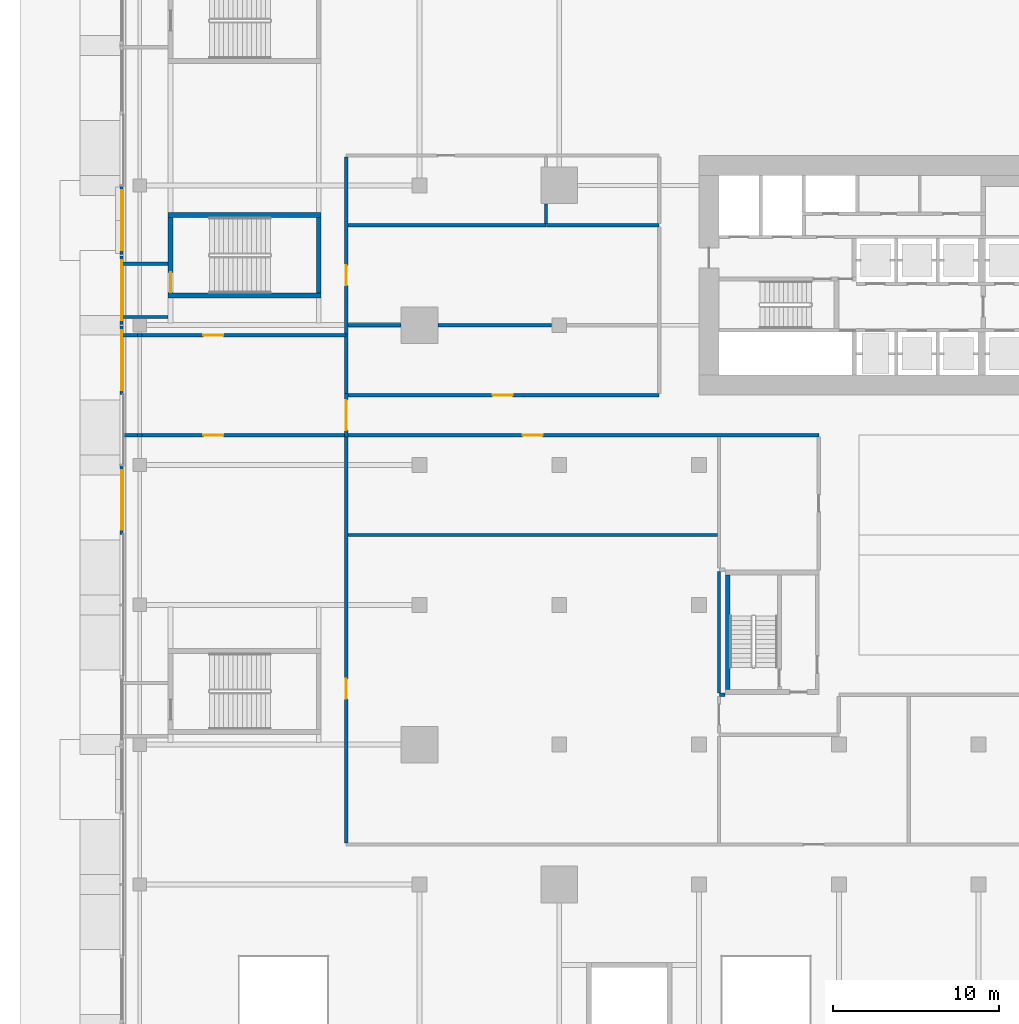
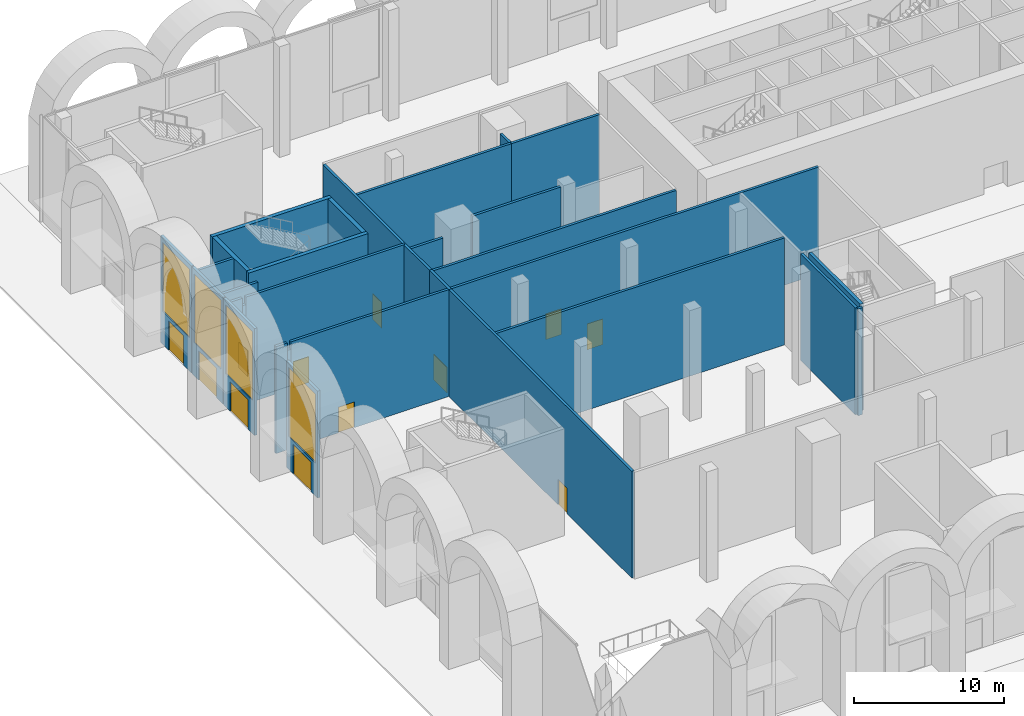
# One storey, part 21 of 43: 30 walls, 12 doors, 4 windows, 16 openings.
"""IFC4 building model written with IfcOpenShell, lengths in metres."""

from ifc_helpers import new_model, si_unit, direction, frame, frame_2d, origin, place, context, subcontext, project, spatial, rectangle, extrude, material, layer, layer_set, type_object, element, fill, save


model = new_model("IFC4")

# Units and contexts
model_context = context("Model", 3, precision=1e-05, world=origin(), true_north=direction((0.0, 1.0)))
body_context = subcontext(model_context, "Body", "Model", "MODEL_VIEW")
ifc_project = project(units=[si_unit("LENGTHUNIT", "METRE"), si_unit("AREAUNIT", "SQUARE_METRE"), si_unit("VOLUMEUNIT", "CUBIC_METRE"), si_unit("PLANEANGLEUNIT", "RADIAN"), si_unit("MASSUNIT", "GRAM", prefix="KILO")], contexts=[model_context])

# Site, building, storey
site_placement = place(None, origin())
site = spatial("IfcSite", under=ifc_project, at=site_placement, CompositionType="ELEMENT")
building_placement = place(site_placement, origin())
building = spatial("IfcBuilding", under=site, at=building_placement, Name="Saffron Gate Tower", CompositionType="ELEMENT")
storey_placement = place(building_placement, origin())
storey = spatial("IfcBuildingStorey", under=building, at=storey_placement, Name="L00", CompositionType="ELEMENT", Elevation=0.0)

# Walls
ifc_material_1 = material(Name="Gypsum board partition on steel studs", Category="steel")
ifc_layer_1 = layer(ifc_material_1, 0.199951171875)
ifc_layer_set_1 = layer_set([ifc_layer_1], Name="CW10 Core partition 200")
wall_type_1 = type_object("IfcWallType", Name="CW10 Core partition 200", PredefinedType="PARTITIONING", material=ifc_layer_set_1)
for number, where, z_axis, x_axis, name in (
    (1, (32.0, 65.89990234375, 0.0), (0.0, 0.0, 1.0), (1.0, 0.0, 0.0), "Wall CW10-L00-XS-GA"),
    (2, (32.0, 69.10009765625, 0.0), (0.0, 0.0, 1.0), (1.0, 0.0, 0.0), "Wall CW10-L00-XS-GB"),
):
    element("IfcWall", number, at=place(storey_placement, frame(where, z_axis=z_axis, x_axis=x_axis)), inside=storey, type_object=wall_type_1, Name=name, PredefinedType="PARTITIONING", context=body_context, shape_type="SweptSolid", body=[
        extrude(rectangle(XDim=2.699951171875, YDim=0.199951171875, at=frame_2d((1.35009765625, 0.0))), origin(), (0.0, 0.0, 1.0), 8.699951171875),
    ])
ifc_material_2 = material(Name="Concrete C70", Category="concrete")
ifc_layer_2 = layer(ifc_material_2, 0.25)
ifc_layer_set_2 = layer_set([ifc_layer_2], Name="CW2 RC core wall 250 C70")
wall_type_2 = type_object("IfcWallType", Name="CW2 RC core wall 250 C70", PredefinedType="SOLIDWALL", material=ifc_layer_set_2)
wall_1_placement = place(storey_placement, frame((68.324951171875, 43.5, 0.0), z_axis=(0.0, 0.0, 1.0), x_axis=(0.0, 1.0, 0.0)))
element("IfcWall", 3, at=wall_1_placement, inside=storey, type_object=wall_type_2, Name="Wall CW2-L00-D-2", PredefinedType="SOLIDWALL", context=body_context, shape_type="SweptSolid", body=[
    extrude(rectangle(XDim=6.89990234375, YDim=0.25, at=frame_2d((3.449951171875, 0.0))), origin(), (0.0, 0.0, 1.0), 8.699951171875),
])
ifc_layer_3 = layer(ifc_material_2, 0.300048828125)
ifc_layer_set_3 = layer_set([ifc_layer_3], Name="CW5 RC core wall 300 C70")
wall_type_3 = type_object("IfcWallType", Name="CW5 RC core wall 300 C70", PredefinedType="SOLIDWALL", material=ifc_layer_set_3)
wall_2_placement = place(storey_placement, frame((34.699951171875, 67.175048828125, 0.0), z_axis=(0.0, 0.0, 1.0), x_axis=(1.0, 0.0, 0.0)))
element("IfcWall", 4, at=wall_2_placement, inside=storey, type_object=wall_type_3, Name="Wall CW5-L00-G-1", PredefinedType="SOLIDWALL", context=body_context, shape_type="SweptSolid", body=[
    extrude(rectangle(XDim=9.199951171875, YDim=0.300048828125, at=frame_2d((4.60009765625, 0.0))), origin(), (0.0, 0.0, 1.0), 8.699951171875),
])

# Wall, opening, door
wall_3_placement = place(storey_placement, frame((34.85009765625, 67.324951171875, 0.0), z_axis=(0.0, 0.0, 1.0), x_axis=(0.0, 1.0, 0.0)))
wall_3 = element("IfcWall", 5, at=wall_3_placement, inside=storey, type_object=wall_type_3, Name="Wall CW5-L00-G-2", PredefinedType="SOLIDWALL", context=body_context, shape_type="SweptSolid", body=[
    extrude(rectangle(XDim=4.550048828125, YDim=0.300048828125, at=frame_2d((2.27490234375, 0.0))), origin(), (0.0, 0.0, 1.0), 8.699951171875),
])
opening_1_placement = place(wall_3_placement, frame((0.050048828125, 0.0, 0.0)))
opening_1 = element("IfcOpeningElement", 6, at=opening_1_placement, cuts=wall_3, Name="Opening CR-27", PredefinedType="OPENING", context=body_context, shape_type="SweptSolid", body=[
    extrude(rectangle(XDim=1.199951171875, YDim=2.10009765625, at=frame_2d((0.60009765625, 1.050048828125))), frame((0.0, 0.16015625, 0.0), z_axis=(0.0, -1.0, 0.0), x_axis=(1.0, 0.0, 0.0)), (0.0, 0.0, 1.0), 0.320068359375),
])
ifc_material_3 = material(Name="Steel fire door set", Category="steel")
door_type_1 = type_object("IfcDoorType", Name="CD12 Stair door 1200x2100 EI 120", OperationType="NOTDEFINED", PredefinedType="DOOR", material=ifc_material_3)
door_1_placement = place(opening_1_placement, origin())
door_1 = element("IfcDoor", 7, at=door_1_placement, inside=storey, type_object=door_type_1, Name="DOOR CR-27", OperationType="SINGLE_SWING_LEFT", OverallHeight=2.10009765625, OverallWidth=1.199951171875, PredefinedType="DOOR", context=body_context, shape_type="SweptSolid", body=[
    extrude(rectangle(XDim=1.199951171875, YDim=2.10009765625, at=frame_2d((0.60009765625, 1.050048828125))), frame((0.0, 0.02490234375, 0.0), z_axis=(0.0, -1.0, 0.0), x_axis=(1.0, 0.0, 0.0)), (0.0, 0.0, 1.0), 0.050048828125),
])
fill(opening_1, door_1)

# Walls
wall_4_placement = place(storey_placement, frame((43.75, 67.324951171875, 0.0), z_axis=(0.0, 0.0, 1.0), x_axis=(0.0, 1.0, 0.0)))
element("IfcWall", 8, at=wall_4_placement, inside=storey, type_object=wall_type_3, Name="Wall CW5-L00-G-3", PredefinedType="SOLIDWALL", context=body_context, shape_type="SweptSolid", body=[
    extrude(rectangle(XDim=4.550048828125, YDim=0.300048828125, at=frame_2d((2.27490234375, 0.0))), origin(), (0.0, 0.0, 1.0), 8.699951171875),
])
wall_5_placement = place(storey_placement, frame((34.699951171875, 72.02490234375, 0.0), z_axis=(0.0, 0.0, 1.0), x_axis=(1.0, 0.0, 0.0)))
element("IfcWall", 9, at=wall_5_placement, inside=storey, type_object=wall_type_3, Name="Wall CW5-L00-G-4", PredefinedType="SOLIDWALL", context=body_context, shape_type="SweptSolid", body=[
    extrude(rectangle(XDim=9.199951171875, YDim=0.300048828125, at=frame_2d((4.60009765625, 0.0))), origin(), (0.0, 0.0, 1.0), 8.699951171875),
])
ifc_material_4 = material(Name="Clay brick masonry, rendered", Category="masonry")
ifc_layer_4 = layer(ifc_material_4, 0.199951171875)
ifc_layer_set_4 = layer_set([ifc_layer_4], Name="PW3 Corridor wall 200")
wall_type_4 = type_object("IfcWallType", Name="PW3 Corridor wall 200", PredefinedType="PARTITIONING", material=ifc_layer_set_4)
wall_6_placement = place(storey_placement, frame((32.0, 58.800048828125, 0.0), z_axis=(0.0, 0.0, 1.0), x_axis=(1.0, 0.0, 0.0)))
element("IfcWall", 10, at=wall_6_placement, inside=storey, type_object=wall_type_4, Name="Wall PW3-L00-XPWS1", PredefinedType="PARTITIONING", context=body_context, shape_type="SweptSolid", body=[
    extrude(rectangle(XDim=0.8701171875, YDim=0.199951171875, at=frame_2d((0.43505859375, 0.0))), origin(), (0.0, 0.0, 1.0), 8.699951171875),
])
wall_7_placement = place(storey_placement, frame((32.8701171875, 58.800048828125, 0.0), z_axis=(0.0, 0.0, 1.0), x_axis=(1.0, 0.0, 0.0)))
element("IfcWall", 11, at=wall_7_placement, inside=storey, type_object=wall_type_4, Name="Wall PW3-L00-XPWS2", PredefinedType="PARTITIONING", context=body_context, shape_type="SweptSolid", body=[
    extrude(rectangle(XDim=0.259765625, YDim=0.199951171875, at=frame_2d((0.1298828125, 0.0))), origin(), (0.0, 0.0, 1.0), 8.10009765625),
])

# Wall, opening, door
wall_8_placement = place(storey_placement, frame((33.1298828125, 58.800048828125, 0.0), z_axis=(0.0, 0.0, 1.0), x_axis=(1.0, 0.0, 0.0)))
wall_8 = element("IfcWall", 12, at=wall_8_placement, inside=storey, type_object=wall_type_4, Name="Wall PW3-L00-XPWS3", PredefinedType="PARTITIONING", context=body_context, shape_type="SweptSolid", body=[
    extrude(rectangle(XDim=12.27001953125, YDim=0.199951171875, at=frame_2d((6.135009765625, 0.0))), origin(), (0.0, 0.0, 1.0), 8.699951171875),
])
opening_2_placement = place(wall_8_placement, frame((3.694580078125, 0.0, 0.0)))
opening_2 = element("IfcOpeningElement", 13, at=opening_2_placement, cuts=wall_8, Name="Opening XP-WS", PredefinedType="OPENING", context=body_context, shape_type="SweptSolid", body=[
    extrude(rectangle(XDim=1.199951171875, YDim=2.10009765625, at=frame_2d((0.60009765625, 1.050048828125))), frame((0.0, 0.10986328125, 0.0), z_axis=(0.0, -1.0, 0.0), x_axis=(1.0, 0.0, 0.0)), (0.0, 0.0, 1.0), 0.219970703125),
])
door_type_2 = type_object("IfcDoorType", Name="CD3 Lobby door 1200x2100 EI 120", OperationType="NOTDEFINED", PredefinedType="DOOR", material=ifc_material_3)
door_2_placement = place(opening_2_placement, origin())
door_2 = element("IfcDoor", 14, at=door_2_placement, inside=storey, type_object=door_type_2, Name="DOOR XP-WS", OperationType="SINGLE_SWING_LEFT", OverallHeight=2.10009765625, OverallWidth=1.199951171875, PredefinedType="DOOR", context=body_context, shape_type="SweptSolid", body=[
    extrude(rectangle(XDim=1.199951171875, YDim=2.10009765625, at=frame_2d((0.60009765625, 1.050048828125))), frame((0.0, 0.02490234375, 0.0), z_axis=(0.0, -1.0, 0.0), x_axis=(1.0, 0.0, 0.0)), (0.0, 0.0, 1.0), 0.050048828125),
])
fill(opening_2, door_2)

# Walls
wall_9_placement = place(storey_placement, frame((32.0, 64.800048828125, 0.0), z_axis=(0.0, 0.0, 1.0), x_axis=(1.0, 0.0, 0.0)))
element("IfcWall", 15, at=wall_9_placement, inside=storey, type_object=wall_type_4, Name="Wall PW3-L00-XPWN1", PredefinedType="PARTITIONING", context=body_context, shape_type="SweptSolid", body=[
    extrude(rectangle(XDim=0.8701171875, YDim=0.199951171875, at=frame_2d((0.43505859375, 0.0))), origin(), (0.0, 0.0, 1.0), 8.699951171875),
])
wall_10_placement = place(storey_placement, frame((32.8701171875, 64.800048828125, 0.0), z_axis=(0.0, 0.0, 1.0), x_axis=(1.0, 0.0, 0.0)))
element("IfcWall", 16, at=wall_10_placement, inside=storey, type_object=wall_type_4, Name="Wall PW3-L00-XPWN2", PredefinedType="PARTITIONING", context=body_context, shape_type="SweptSolid", body=[
    extrude(rectangle(XDim=0.259765625, YDim=0.199951171875, at=frame_2d((0.1298828125, 0.0))), origin(), (0.0, 0.0, 1.0), 8.10009765625),
])

# Wall, opening, door
wall_11_placement = place(storey_placement, frame((33.1298828125, 64.800048828125, 0.0), z_axis=(0.0, 0.0, 1.0), x_axis=(1.0, 0.0, 0.0)))
wall_11 = element("IfcWall", 17, at=wall_11_placement, inside=storey, type_object=wall_type_4, Name="Wall PW3-L00-XPWN3", PredefinedType="PARTITIONING", context=body_context, shape_type="SweptSolid", body=[
    extrude(rectangle(XDim=12.27001953125, YDim=0.199951171875, at=frame_2d((6.135009765625, 0.0))), origin(), (0.0, 0.0, 1.0), 8.699951171875),
])
opening_3_placement = place(wall_11_placement, frame((3.694580078125, 0.0, 0.0)))
opening_3 = element("IfcOpeningElement", 18, at=opening_3_placement, cuts=wall_11, Name="Opening XP-WN", PredefinedType="OPENING", context=body_context, shape_type="SweptSolid", body=[
    extrude(rectangle(XDim=1.199951171875, YDim=2.10009765625, at=frame_2d((0.60009765625, 1.050048828125))), frame((0.0, 0.10986328125, 0.0), z_axis=(0.0, -1.0, 0.0), x_axis=(1.0, 0.0, 0.0)), (0.0, 0.0, 1.0), 0.219970703125),
])
door_3_placement = place(opening_3_placement, origin())
door_3 = element("IfcDoor", 19, at=door_3_placement, inside=storey, type_object=door_type_2, Name="DOOR XP-WN", OperationType="SINGLE_SWING_RIGHT", OverallHeight=2.10009765625, OverallWidth=1.199951171875, PredefinedType="DOOR", context=body_context, shape_type="SweptSolid", body=[
    extrude(rectangle(XDim=1.199951171875, YDim=2.10009765625, at=frame_2d((0.60009765625, 1.050048828125))), frame((0.0, 0.02490234375, 0.0), z_axis=(0.0, -1.0, 0.0), x_axis=(1.0, 0.0, 0.0)), (0.0, 0.0, 1.0), 0.050048828125),
])
fill(opening_3, door_3)

wall_12_placement = place(storey_placement, frame((73.800048828125, 58.800048828125, 0.0), z_axis=(0.0, 0.0, 1.0), x_axis=(-1.0, 0.0, 0.0)))
wall_12 = element("IfcWall", 20, at=wall_12_placement, inside=storey, type_object=wall_type_4, Name="Wall P0-12", PredefinedType="PARTITIONING", context=body_context, shape_type="SweptSolid", body=[
    extrude(rectangle(XDim=28.400146484375, YDim=0.199951171875, at=frame_2d((14.2001953125, 0.0))), origin(), (0.0, 0.0, 1.0), 8.699951171875),
])
opening_4_placement = place(wall_12_placement, frame((16.60009765625, 0.0, 0.0)))
opening_4 = element("IfcOpeningElement", 21, at=opening_4_placement, cuts=wall_12, Name="Opening P0-14", PredefinedType="OPENING", context=body_context, shape_type="SweptSolid", body=[
    extrude(rectangle(XDim=1.199951171875, YDim=2.10009765625, at=frame_2d((0.60009765625, 1.050048828125))), frame((0.0, 0.10986328125, 0.0), z_axis=(0.0, -1.0, 0.0), x_axis=(1.0, 0.0, 0.0)), (0.0, 0.0, 1.0), 0.219970703125),
])
ifc_material_5 = material(Name="Timber door set", Category="wood")
door_type_3 = type_object("IfcDoorType", Name="HD1 Hall door 1200x2100", OperationType="NOTDEFINED", PredefinedType="DOOR", material=ifc_material_5)
door_4_placement = place(opening_4_placement, origin())
door_4 = element("IfcDoor", 22, at=door_4_placement, inside=storey, type_object=door_type_3, Name="Door P0-14", OperationType="SINGLE_SWING_RIGHT", OverallHeight=2.10009765625, OverallWidth=1.199951171875, PredefinedType="DOOR", context=body_context, shape_type="SweptSolid", body=[
    extrude(rectangle(XDim=1.199951171875, YDim=2.10009765625, at=frame_2d((0.60009765625, 1.050048828125))), frame((0.0, 0.02490234375, 0.0), z_axis=(0.0, -1.0, 0.0), x_axis=(1.0, 0.0, 0.0)), (0.0, 0.0, 1.0), 0.050048828125),
])
fill(opening_4, door_4)

wall_13_placement = place(storey_placement, frame((45.39990234375, 61.199951171875, 0.0), z_axis=(0.0, 0.0, 1.0), x_axis=(1.0, 0.0, 0.0)))
wall_13 = element("IfcWall", 23, at=wall_13_placement, inside=storey, type_object=wall_type_4, Name="Wall P0-15", PredefinedType="PARTITIONING", context=body_context, shape_type="SweptSolid", body=[
    extrude(rectangle(XDim=18.800048828125, YDim=0.199951171875, at=frame_2d((9.39990234375, 0.0))), origin(), (0.0, 0.0, 1.0), 8.699951171875),
])
opening_5_placement = place(wall_13_placement, frame((8.800048828125, 0.0, 0.0)))
opening_5 = element("IfcOpeningElement", 24, at=opening_5_placement, cuts=wall_13, Name="Opening P0-15", PredefinedType="OPENING", context=body_context, shape_type="SweptSolid", body=[
    extrude(rectangle(XDim=1.199951171875, YDim=2.10009765625, at=frame_2d((0.60009765625, 1.050048828125))), frame((0.0, 0.10986328125, 0.0), z_axis=(0.0, -1.0, 0.0), x_axis=(1.0, 0.0, 0.0)), (0.0, 0.0, 1.0), 0.219970703125),
])
door_5_placement = place(opening_5_placement, origin())
door_5 = element("IfcDoor", 25, at=door_5_placement, inside=storey, type_object=door_type_3, Name="Door P0-15", OperationType="SINGLE_SWING_RIGHT", OverallHeight=2.10009765625, OverallWidth=1.199951171875, PredefinedType="DOOR", context=body_context, shape_type="SweptSolid", body=[
    extrude(rectangle(XDim=1.199951171875, YDim=2.10009765625, at=frame_2d((0.60009765625, 1.050048828125))), frame((0.0, 0.02490234375, 0.0), z_axis=(0.0, -1.0, 0.0), x_axis=(1.0, 0.0, 0.0)), (0.0, 0.0, 1.0), 0.050048828125),
])
fill(opening_5, door_5)

wall_14_placement = place(storey_placement, frame((45.39990234375, 58.699951171875, 0.0), z_axis=(0.0, 0.0, 1.0), x_axis=(0.0, -1.0, 0.0)))
wall_14 = element("IfcWall", 26, at=wall_14_placement, inside=storey, type_object=wall_type_4, Name="Wall P0-31", PredefinedType="PARTITIONING", context=body_context, shape_type="SweptSolid", body=[
    extrude(rectangle(XDim=24.39990234375, YDim=0.199951171875, at=frame_2d((12.199951171875, 0.0))), origin(), (0.0, 0.0, 1.0), 8.699951171875),
])
opening_6_placement = place(wall_14_placement, frame((14.550048828125, 0.0, 0.0)))
opening_6 = element("IfcOpeningElement", 27, at=opening_6_placement, cuts=wall_14, Name="Opening P0-10", PredefinedType="OPENING", context=body_context, shape_type="SweptSolid", body=[
    extrude(rectangle(XDim=1.199951171875, YDim=2.10009765625, at=frame_2d((0.60009765625, 1.050048828125))), frame((0.0, 0.10986328125, 0.0), z_axis=(0.0, -1.0, 0.0), x_axis=(1.0, 0.0, 0.0)), (0.0, 0.0, 1.0), 0.219970703125),
])
door_6_placement = place(opening_6_placement, origin())
door_6 = element("IfcDoor", 28, at=door_6_placement, inside=storey, type_object=door_type_3, Name="Door P0-10", OperationType="SINGLE_SWING_RIGHT", OverallHeight=2.10009765625, OverallWidth=1.199951171875, PredefinedType="DOOR", context=body_context, shape_type="SweptSolid", body=[
    extrude(rectangle(XDim=1.199951171875, YDim=2.10009765625, at=frame_2d((0.60009765625, 1.050048828125))), frame((0.0, 0.02490234375, 0.0), z_axis=(0.0, -1.0, 0.0), x_axis=(1.0, 0.0, 0.0)), (0.0, 0.0, 1.0), 0.050048828125),
])
fill(opening_6, door_6)

wall_15_placement = place(storey_placement, frame((45.39990234375, 75.5, 0.0), z_axis=(0.0, 0.0, 1.0), x_axis=(0.0, -1.0, 0.0)))
wall_15 = element("IfcWall", 29, at=wall_15_placement, inside=storey, type_object=wall_type_4, Name="Wall P0-32", PredefinedType="PARTITIONING", context=body_context, shape_type="SweptSolid", body=[
    extrude(rectangle(XDim=14.199951171875, YDim=0.199951171875, at=frame_2d((7.10009765625, 0.0))), origin(), (0.0, 0.0, 1.0), 8.699951171875),
])
opening_7_placement = place(wall_15_placement, frame((6.5, 0.0, 0.0)))
opening_7 = element("IfcOpeningElement", 30, at=opening_7_placement, cuts=wall_15, Name="Opening P0-11", PredefinedType="OPENING", context=body_context, shape_type="SweptSolid", body=[
    extrude(rectangle(XDim=1.199951171875, YDim=2.10009765625, at=frame_2d((0.60009765625, 1.050048828125))), frame((0.0, 0.10986328125, 0.0), z_axis=(0.0, -1.0, 0.0), x_axis=(1.0, 0.0, 0.0)), (0.0, 0.0, 1.0), 0.219970703125),
])
door_7_placement = place(opening_7_placement, origin())
door_7 = element("IfcDoor", 31, at=door_7_placement, inside=storey, type_object=door_type_3, Name="Door P0-11", OperationType="SINGLE_SWING_RIGHT", OverallHeight=2.10009765625, OverallWidth=1.199951171875, PredefinedType="DOOR", context=body_context, shape_type="SweptSolid", body=[
    extrude(rectangle(XDim=1.199951171875, YDim=2.10009765625, at=frame_2d((0.60009765625, 1.050048828125))), frame((0.0, 0.02490234375, 0.0), z_axis=(0.0, -1.0, 0.0), x_axis=(1.0, 0.0, 0.0)), (0.0, 0.0, 1.0), 0.050048828125),
])
fill(opening_7, door_7)

wall_16_placement = place(storey_placement, frame((45.39990234375, 58.699951171875, 0.0), z_axis=(0.0, 0.0, 1.0), x_axis=(0.0, 1.0, 0.0)))
wall_16 = element("IfcWall", 32, at=wall_16_placement, inside=storey, type_object=wall_type_4, Name="Wall PW3-L00-XP-WL", PredefinedType="PARTITIONING", context=body_context, shape_type="SweptSolid", body=[
    extrude(rectangle(XDim=2.60009765625, YDim=0.199951171875, at=frame_2d((1.300048828125, 0.0))), origin(), (0.0, 0.0, 1.0), 8.699951171875),
])
opening_8_placement = place(wall_16_placement, frame((0.39990234375, 0.0, 0.0)))
opening_8 = element("IfcOpeningElement", 33, at=opening_8_placement, cuts=wall_16, Name="Opening XP-WL", PredefinedType="OPENING", context=body_context, shape_type="SweptSolid", body=[
    extrude(rectangle(XDim=1.800048828125, YDim=2.10009765625, at=frame_2d((0.89990234375, 1.050048828125))), frame((0.0, 0.10986328125, 0.0), z_axis=(0.0, -1.0, 0.0), x_axis=(1.0, 0.0, 0.0)), (0.0, 0.0, 1.0), 0.219970703125),
])
door_type_4 = type_object("IfcDoorType", Name="CD13 Lobby door 1800x2100 EI 120", OperationType="NOTDEFINED", PredefinedType="DOOR", material=ifc_material_3)
door_8_placement = place(opening_8_placement, origin())
door_8 = element("IfcDoor", 34, at=door_8_placement, inside=storey, type_object=door_type_4, Name="DOOR XP-WL", OperationType="DOUBLE_DOOR_SINGLE_SWING", OverallHeight=2.10009765625, OverallWidth=1.800048828125, PredefinedType="DOOR", context=body_context, shape_type="SweptSolid", body=[
    extrude(rectangle(XDim=1.800048828125, YDim=2.10009765625, at=frame_2d((0.89990234375, 1.050048828125))), frame((0.0, 0.02490234375, 0.0), z_axis=(0.0, -1.0, 0.0), x_axis=(1.0, 0.0, 0.0)), (0.0, 0.0, 1.0), 0.050048828125),
])
fill(opening_8, door_8)

# Walls
ifc_layer_5 = layer(ifc_material_4, 0.199951171875)
ifc_layer_set_5 = layer_set([ifc_layer_5], Name="PW5 Room wall 200")
wall_type_5 = type_object("IfcWallType", Name="PW5 Room wall 200", PredefinedType="PARTITIONING", material=ifc_layer_set_5)
wall_17_placement = place(storey_placement, frame((67.820068359375, 43.199951171875, 0.0), z_axis=(0.0, 0.0, 1.0), x_axis=(1.0, 0.0, 0.0)))
element("IfcWall", 35, at=wall_17_placement, inside=storey, type_object=wall_type_5, Name="Wall P0-5", PredefinedType="PARTITIONING", context=body_context, shape_type="SweptSolid", body=[
    extrude(rectangle(XDim=0.329833984375, YDim=0.199951171875, at=frame_2d((0.1650390625, 0.0))), origin(), (0.0, 0.0, 1.0), 8.699951171875),
])
wall_18_placement = place(storey_placement, frame((45.5, 52.800048828125, 0.0), z_axis=(0.0, 0.0, 1.0), x_axis=(1.0, 0.0, 0.0)))
element("IfcWall", 36, at=wall_18_placement, inside=storey, type_object=wall_type_5, Name="Wall P0-9", PredefinedType="PARTITIONING", context=body_context, shape_type="SweptSolid", body=[
    extrude(rectangle(XDim=22.199951171875, YDim=0.199951171875, at=frame_2d((11.10009765625, 0.0))), origin(), (0.0, 0.0, 1.0), 8.699951171875),
])
wall_19_placement = place(storey_placement, frame((45.5, 65.39990234375, 0.0), z_axis=(0.0, 0.0, 1.0), x_axis=(1.0, 0.0, 0.0)))
element("IfcWall", 37, at=wall_19_placement, inside=storey, type_object=wall_type_5, Name="Wall P0-17", PredefinedType="PARTITIONING", context=body_context, shape_type="SweptSolid", body=[
    extrude(rectangle(XDim=3.179931640625, YDim=0.199951171875, at=frame_2d((1.58984375, 0.0))), origin(), (0.0, 0.0, 1.0), 7.7099609375),
])
wall_20_placement = place(storey_placement, frame((50.919921875, 65.39990234375, 0.0), z_axis=(0.0, 0.0, 1.0), x_axis=(1.0, 0.0, 0.0)))
element("IfcWall", 38, at=wall_20_placement, inside=storey, type_object=wall_type_5, Name="Wall P0-18", PredefinedType="PARTITIONING", context=body_context, shape_type="SweptSolid", body=[
    extrude(rectangle(XDim=6.81005859375, YDim=0.199951171875, at=frame_2d((3.405029296875, 0.0))), origin(), (0.0, 0.0, 1.0), 8.699951171875),
])
wall_21_placement = place(storey_placement, frame((57.419921875, 71.39990234375, 0.0), z_axis=(0.0, 0.0, 1.0), x_axis=(1.0, 0.0, 0.0)))
element("IfcWall", 39, at=wall_21_placement, inside=storey, type_object=wall_type_5, Name="Wall P0-23", PredefinedType="PARTITIONING", context=body_context, shape_type="SweptSolid", body=[
    extrude(rectangle(XDim=6.760009765625, YDim=0.199951171875, at=frame_2d((3.3798828125, 0.0))), origin(), (0.0, 0.0, 1.0), 8.699951171875),
])
wall_22_placement = place(storey_placement, frame((45.5, 71.39990234375, 0.0), z_axis=(0.0, 0.0, 1.0), x_axis=(1.0, 0.0, 0.0)))
element("IfcWall", 40, at=wall_22_placement, inside=storey, type_object=wall_type_5, Name="Wall P0-25", PredefinedType="PARTITIONING", context=body_context, shape_type="SweptSolid", body=[
    extrude(rectangle(XDim=11.89990234375, YDim=0.199951171875, at=frame_2d((5.949951171875, 0.0))), origin(), (0.0, 0.0, 1.0), 8.699951171875),
])
wall_23_placement = place(storey_placement, frame((57.39990234375, 72.679931640625, 0.0), z_axis=(0.0, 0.0, 1.0), x_axis=(0.0, -1.0, 0.0)))
element("IfcWall", 41, at=wall_23_placement, inside=storey, type_object=wall_type_5, Name="Wall P0-33", PredefinedType="PARTITIONING", context=body_context, shape_type="SweptSolid", body=[
    extrude(rectangle(XDim=1.179931640625, YDim=0.199951171875, at=frame_2d((0.58984375, 0.0))), origin(), (0.0, 0.0, 1.0), 8.699951171875),
])
wall_24_placement = place(storey_placement, frame((67.800048828125, 50.60009765625, 0.0), z_axis=(0.0, 0.0, 1.0), x_axis=(0.0, -1.0, 0.0)))
element("IfcWall", 42, at=wall_24_placement, inside=storey, type_object=wall_type_5, Name="Wall P0-38", PredefinedType="PARTITIONING", context=body_context, shape_type="SweptSolid", body=[
    extrude(rectangle(XDim=7.300048828125, YDim=0.199951171875, at=frame_2d((3.64990234375, 0.0))), origin(), (0.0, 0.0, 1.0), 8.699951171875),
])

# Wall, openings, door, window
ifc_material_6 = material(Name="Reinforced concrete C40/50 clad in bronze panels", Category="concrete")
ifc_layer_6 = layer(ifc_material_6, 0.199951171875)
ifc_layer_set_6 = layer_set([ifc_layer_6], Name="WBAY1 entrance bay wall")
wall_type_6 = type_object("IfcWallType", Name="WBAY1 entrance bay wall", PredefinedType="SOLIDWALL", material=ifc_layer_set_6)
wall_25_placement = place(storey_placement, frame((31.89990234375, 69.639892578125, 0.0), z_axis=(0.0, 0.0, 1.0), x_axis=(0.0, 1.0, 0.0)))
wall_25 = element("IfcWall", 43, at=wall_25_placement, inside=storey, type_object=wall_type_6, Name="ENTRANCE BAY wall", PredefinedType="SOLIDWALL", context=body_context, shape_type="SweptSolid", body=[
    extrude(rectangle(XDim=4.1201171875, YDim=0.199951171875, at=frame_2d((2.06005859375, 0.0))), origin(), (0.0, 0.0, 1.0), 8.699951171875),
])
opening_9_placement = place(wall_25_placement, frame((1.06005859375, 0.0, 0.0)))
opening_9 = element("IfcOpeningElement", 44, at=opening_9_placement, cuts=wall_25, Name="Opening E09", PredefinedType="OPENING", context=body_context, shape_type="SweptSolid", body=[
    extrude(rectangle(XDim=2.0, YDim=2.39990234375, at=frame_2d((1.0, 1.199951171875))), frame((0.0, 0.10986328125, 0.0), z_axis=(0.0, -1.0, 0.0), x_axis=(1.0, 0.0, 0.0)), (0.0, 0.0, 1.0), 0.219970703125),
])
opening_10_placement = place(wall_25_placement, frame((0.260009765625, 0.0, 2.699951171875)))
opening_10 = element("IfcOpeningElement", 45, at=opening_10_placement, cuts=wall_25, Name="Opening W9", PredefinedType="OPENING", context=body_context, shape_type="SweptSolid", body=[
    extrude(rectangle(XDim=3.60009765625, YDim=5.60009765625, at=frame_2d((1.800048828125, 2.800048828125))), frame((0.0, 0.10986328125, 0.0), z_axis=(0.0, -1.0, 0.0), x_axis=(1.0, 0.0, 0.0)), (0.0, 0.0, 1.0), 0.219970703125),
])
ifc_material_7 = material(Name="Bronze lattice gate, anodised aluminium", Category="aluminium")
ifc_layer_7 = layer(ifc_material_7, 0.050048828125)
ifc_layer_set_7 = layer_set([ifc_layer_7], Name="G1 entrance gate 2000x2400")
door_type_5 = type_object("IfcDoorType", Name="G1 entrance gate 2000x2400", OperationType="DOUBLE_DOOR_SINGLE_SWING", PredefinedType="GATE", material=ifc_layer_set_7)
door_9_placement = place(opening_9_placement, origin())
door_9 = element("IfcDoor", 46, at=door_9_placement, inside=storey, type_object=door_type_5, Name="GATE E09", OperationType="DOUBLE_DOOR_SINGLE_SWING", OverallHeight=2.39990234375, OverallWidth=2.0, PredefinedType="GATE", context=body_context, shape_type="SweptSolid", body=[
    extrude(rectangle(XDim=2.0, YDim=2.39990234375, at=frame_2d((1.0, 1.199951171875))), frame((0.0, 0.02490234375, 0.0), z_axis=(0.0, -1.0, 0.0), x_axis=(1.0, 0.0, 0.0)), (0.0, 0.0, 1.0), 0.050048828125),
])
fill(opening_9, door_9)
ifc_material_8 = material(Name="Clear low-iron laminated glass in bronze frame", Category="glass")
ifc_layer_8 = layer(ifc_material_8, 0.06005859375)
ifc_layer_set_8 = layer_set([ifc_layer_8], Name="W9 entrance light")
window_type = type_object("IfcWindowType", Name="W9 entrance light", PartitioningType="SINGLE_PANEL", PredefinedType="WINDOW", material=ifc_layer_set_8)
window_1_placement = place(opening_10_placement, origin())
window_1 = element("IfcWindow", 47, at=window_1_placement, inside=storey, type_object=window_type, Name="W9 entrance light", OverallHeight=5.60009765625, OverallWidth=3.60009765625, PartitioningType="SINGLE_PANEL", PredefinedType="WINDOW", context=body_context, shape_type="SweptSolid", body=[
    extrude(rectangle(XDim=3.60009765625, YDim=5.60009765625, at=frame_2d((1.800048828125, 2.800048828125))), frame((0.0, 0.030029296875, 0.0), z_axis=(0.0, -1.0, 0.0), x_axis=(1.0, 0.0, 0.0)), (0.0, 0.0, 1.0), 0.06005859375),
])
fill(opening_10, window_1)

# Wall, openings, window, door
wall_26_placement = place(storey_placement, frame((31.89990234375, 52.840087890625, 0.0), z_axis=(0.0, 0.0, 1.0), x_axis=(0.0, 1.0, 0.0)))
wall_26 = element("IfcWall", 48, at=wall_26_placement, inside=storey, type_object=wall_type_6, Name="ENTRANCE BAY wall", PredefinedType="SOLIDWALL", context=body_context, shape_type="SweptSolid", body=[
    extrude(rectangle(XDim=4.119873046875, YDim=0.199951171875, at=frame_2d((2.06005859375, 0.0))), origin(), (0.0, 0.0, 1.0), 8.699951171875),
])
opening_11_placement = place(wall_26_placement, frame((0.860107421875, 0.0, 0.0)))
opening_11 = element("IfcOpeningElement", 49, at=opening_11_placement, cuts=wall_26, Name="Opening E20", PredefinedType="OPENING", context=body_context, shape_type="SweptSolid", body=[
    extrude(rectangle(XDim=2.39990234375, YDim=2.39990234375, at=frame_2d((1.199951171875, 1.199951171875))), frame((0.0, 0.10986328125, 0.0), z_axis=(0.0, -1.0, 0.0), x_axis=(1.0, 0.0, 0.0)), (0.0, 0.0, 1.0), 0.219970703125),
])
opening_12_placement = place(wall_26_placement, frame((0.260009765625, 0.0, 2.699951171875)))
opening_12 = element("IfcOpeningElement", 50, at=opening_12_placement, cuts=wall_26, Name="Opening W9", PredefinedType="OPENING", context=body_context, shape_type="SweptSolid", body=[
    extrude(rectangle(XDim=3.60009765625, YDim=5.60009765625, at=frame_2d((1.800048828125, 2.800048828125))), frame((0.0, 0.10986328125, 0.0), z_axis=(0.0, -1.0, 0.0), x_axis=(1.0, 0.0, 0.0)), (0.0, 0.0, 1.0), 0.219970703125),
])
window_2_placement = place(opening_12_placement, origin())
window_2 = element("IfcWindow", 51, at=window_2_placement, inside=storey, type_object=window_type, Name="W9 entrance light", OverallHeight=5.60009765625, OverallWidth=3.60009765625, PartitioningType="SINGLE_PANEL", PredefinedType="WINDOW", context=body_context, shape_type="SweptSolid", body=[
    extrude(rectangle(XDim=3.60009765625, YDim=5.60009765625, at=frame_2d((1.800048828125, 2.800048828125))), frame((0.0, 0.030029296875, 0.0), z_axis=(0.0, -1.0, 0.0), x_axis=(1.0, 0.0, 0.0)), (0.0, 0.0, 1.0), 0.06005859375),
])
fill(opening_12, window_2)
ifc_material_9 = material(Name="Bronze-framed toughened glass", Category="glass")
ifc_layer_9 = layer(ifc_material_9, 0.050048828125)
ifc_layer_set_9 = layer_set([ifc_layer_9], Name="X1 exit double door 2400x2400")
door_type_6 = type_object("IfcDoorType", Name="X1 exit double door 2400x2400", OperationType="DOUBLE_DOOR_SINGLE_SWING", PredefinedType="DOOR", material=ifc_layer_set_9)
door_10_placement = place(opening_11_placement, origin())
door_10 = element("IfcDoor", 52, at=door_10_placement, inside=storey, type_object=door_type_6, Name="EXIT E20", OperationType="DOUBLE_DOOR_SINGLE_SWING", OverallHeight=2.39990234375, OverallWidth=2.39990234375, PredefinedType="DOOR", context=body_context, shape_type="SweptSolid", body=[
    extrude(rectangle(XDim=2.39990234375, YDim=2.39990234375, at=frame_2d((1.199951171875, 1.199951171875))), frame((0.0, 0.02490234375, 0.0), z_axis=(0.0, -1.0, 0.0), x_axis=(1.0, 0.0, 0.0)), (0.0, 0.0, 1.0), 0.050048828125),
])
fill(opening_11, door_10)

wall_27_placement = place(storey_placement, frame((31.89990234375, 61.239990234375, 0.0), z_axis=(0.0, 0.0, 1.0), x_axis=(0.0, 1.0, 0.0)))
wall_27 = element("IfcWall", 53, at=wall_27_placement, inside=storey, type_object=wall_type_6, Name="ENTRANCE BAY wall", PredefinedType="SOLIDWALL", context=body_context, shape_type="SweptSolid", body=[
    extrude(rectangle(XDim=4.1201171875, YDim=0.199951171875, at=frame_2d((2.06005859375, 0.0))), origin(), (0.0, 0.0, 1.0), 8.699951171875),
])
opening_13_placement = place(wall_27_placement, frame((0.860107421875, 0.0, 0.0)))
opening_13 = element("IfcOpeningElement", 54, at=opening_13_placement, cuts=wall_27, Name="Opening E26", PredefinedType="OPENING", context=body_context, shape_type="SweptSolid", body=[
    extrude(rectangle(XDim=2.39990234375, YDim=2.39990234375, at=frame_2d((1.199951171875, 1.199951171875))), frame((0.0, 0.10986328125, 0.0), z_axis=(0.0, -1.0, 0.0), x_axis=(1.0, 0.0, 0.0)), (0.0, 0.0, 1.0), 0.219970703125),
])
opening_14_placement = place(wall_27_placement, frame((0.260009765625, 0.0, 2.699951171875)))
opening_14 = element("IfcOpeningElement", 55, at=opening_14_placement, cuts=wall_27, Name="Opening W9", PredefinedType="OPENING", context=body_context, shape_type="SweptSolid", body=[
    extrude(rectangle(XDim=3.60009765625, YDim=5.60009765625, at=frame_2d((1.800048828125, 2.800048828125))), frame((0.0, 0.10986328125, 0.0), z_axis=(0.0, -1.0, 0.0), x_axis=(1.0, 0.0, 0.0)), (0.0, 0.0, 1.0), 0.219970703125),
])
window_3_placement = place(opening_14_placement, origin())
window_3 = element("IfcWindow", 56, at=window_3_placement, inside=storey, type_object=window_type, Name="W9 entrance light", OverallHeight=5.60009765625, OverallWidth=3.60009765625, PartitioningType="SINGLE_PANEL", PredefinedType="WINDOW", context=body_context, shape_type="SweptSolid", body=[
    extrude(rectangle(XDim=3.60009765625, YDim=5.60009765625, at=frame_2d((1.800048828125, 2.800048828125))), frame((0.0, 0.030029296875, 0.0), z_axis=(0.0, -1.0, 0.0), x_axis=(1.0, 0.0, 0.0)), (0.0, 0.0, 1.0), 0.06005859375),
])
fill(opening_14, window_3)
door_11_placement = place(opening_13_placement, origin())
door_11 = element("IfcDoor", 57, at=door_11_placement, inside=storey, type_object=door_type_6, Name="EXIT E26", OperationType="DOUBLE_DOOR_SINGLE_SWING", OverallHeight=2.39990234375, OverallWidth=2.39990234375, PredefinedType="DOOR", context=body_context, shape_type="SweptSolid", body=[
    extrude(rectangle(XDim=2.39990234375, YDim=2.39990234375, at=frame_2d((1.199951171875, 1.199951171875))), frame((0.0, 0.02490234375, 0.0), z_axis=(0.0, -1.0, 0.0), x_axis=(1.0, 0.0, 0.0)), (0.0, 0.0, 1.0), 0.050048828125),
])
fill(opening_13, door_11)

wall_28_placement = place(storey_placement, frame((31.89990234375, 65.43994140625, 0.0), z_axis=(0.0, 0.0, 1.0), x_axis=(0.0, 1.0, 0.0)))
wall_28 = element("IfcWall", 58, at=wall_28_placement, inside=storey, type_object=wall_type_6, Name="ENTRANCE BAY wall", PredefinedType="SOLIDWALL", context=body_context, shape_type="SweptSolid", body=[
    extrude(rectangle(XDim=4.1201171875, YDim=0.199951171875, at=frame_2d((2.06005859375, 0.0))), origin(), (0.0, 0.0, 1.0), 8.699951171875),
])
opening_15_placement = place(wall_28_placement, frame((0.860107421875, 0.0, 0.0)))
opening_15 = element("IfcOpeningElement", 59, at=opening_15_placement, cuts=wall_28, Name="Opening E30", PredefinedType="OPENING", context=body_context, shape_type="SweptSolid", body=[
    extrude(rectangle(XDim=2.39990234375, YDim=2.39990234375, at=frame_2d((1.199951171875, 1.199951171875))), frame((0.0, 0.10986328125, 0.0), z_axis=(0.0, -1.0, 0.0), x_axis=(1.0, 0.0, 0.0)), (0.0, 0.0, 1.0), 0.219970703125),
])
opening_16_placement = place(wall_28_placement, frame((0.260009765625, 0.0, 2.699951171875)))
opening_16 = element("IfcOpeningElement", 60, at=opening_16_placement, cuts=wall_28, Name="Opening W9", PredefinedType="OPENING", context=body_context, shape_type="SweptSolid", body=[
    extrude(rectangle(XDim=3.60009765625, YDim=5.60009765625, at=frame_2d((1.800048828125, 2.800048828125))), frame((0.0, 0.10986328125, 0.0), z_axis=(0.0, -1.0, 0.0), x_axis=(1.0, 0.0, 0.0)), (0.0, 0.0, 1.0), 0.219970703125),
])
window_4_placement = place(opening_16_placement, origin())
window_4 = element("IfcWindow", 61, at=window_4_placement, inside=storey, type_object=window_type, Name="W9 entrance light", OverallHeight=5.60009765625, OverallWidth=3.60009765625, PartitioningType="SINGLE_PANEL", PredefinedType="WINDOW", context=body_context, shape_type="SweptSolid", body=[
    extrude(rectangle(XDim=3.60009765625, YDim=5.60009765625, at=frame_2d((1.800048828125, 2.800048828125))), frame((0.0, 0.030029296875, 0.0), z_axis=(0.0, -1.0, 0.0), x_axis=(1.0, 0.0, 0.0)), (0.0, 0.0, 1.0), 0.06005859375),
])
fill(opening_16, window_4)
door_12_placement = place(opening_15_placement, origin())
door_12 = element("IfcDoor", 62, at=door_12_placement, inside=storey, type_object=door_type_6, Name="EXIT E30", OperationType="DOUBLE_DOOR_SINGLE_SWING", OverallHeight=2.39990234375, OverallWidth=2.39990234375, PredefinedType="DOOR", context=body_context, shape_type="SweptSolid", body=[
    extrude(rectangle(XDim=2.39990234375, YDim=2.39990234375, at=frame_2d((1.199951171875, 1.199951171875))), frame((0.0, 0.02490234375, 0.0), z_axis=(0.0, -1.0, 0.0), x_axis=(1.0, 0.0, 0.0)), (0.0, 0.0, 1.0), 0.050048828125),
])
fill(opening_15, door_12)

save(model, "model.ifc")
